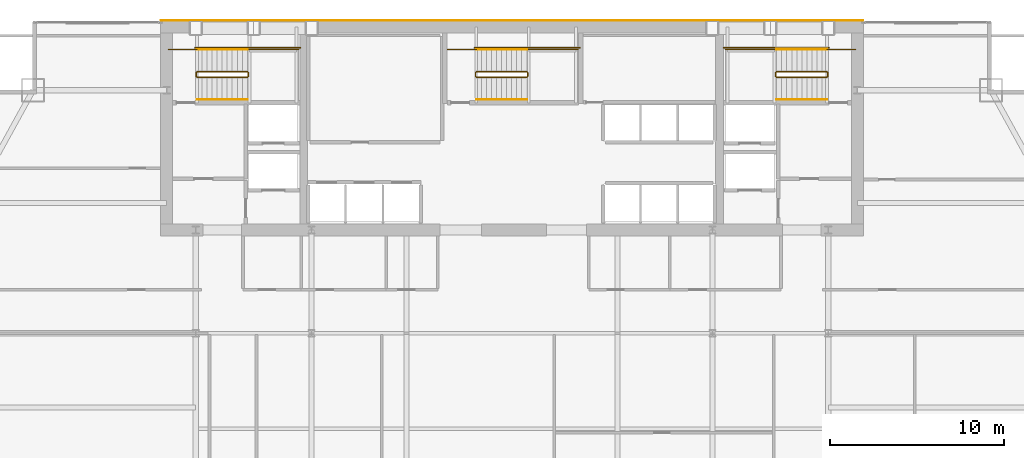
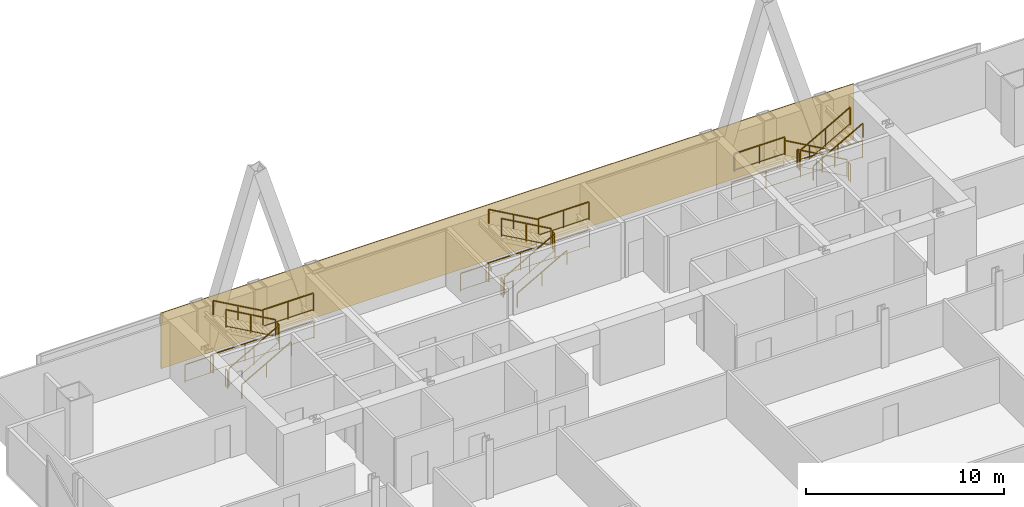
# One storey, part 30 of 30: 27 railings, 1 covering.
"""IFC4 building model written with IfcOpenShell, lengths in metres."""

from ifc_helpers import new_model, si_unit, direction, frame, origin, origin_2d, place, context, subcontext, project, spatial, polyline, rectangle, outline, extrude, material, layer, layer_set, type_object, element, save


model = new_model("IFC4")

# Units and contexts
model_context = context("Model", 3, precision=1e-05, world=origin(), true_north=direction((0.0, 1.0)))
body_context = subcontext(model_context, "Body", "Model", "MODEL_VIEW")
ifc_project = project(units=[si_unit("LENGTHUNIT", "METRE"), si_unit("AREAUNIT", "SQUARE_METRE"), si_unit("VOLUMEUNIT", "CUBIC_METRE"), si_unit("PLANEANGLEUNIT", "RADIAN"), si_unit("MASSUNIT", "GRAM", prefix="KILO")], contexts=[model_context])

# Site, building, storey
site_placement = place(None, origin())
site = spatial("IfcSite", under=ifc_project, at=site_placement, CompositionType="ELEMENT")
building_placement = place(site_placement, origin())
building = spatial("IfcBuilding", under=site, at=building_placement, Name="Khoronbel Lancet Exchange", CompositionType="ELEMENT")
storey_placement = place(building_placement, frame((0.0, 0.0, 157.800048828125)))
storey = spatial("IfcBuildingStorey", under=building, at=storey_placement, Name="L39", CompositionType="ELEMENT", Elevation=157.800048828125)

# Covering
ifc_material_1 = material(Name="Honed Egyptian Limestone & Bronze Rainscreen", Category="masonry")
ifc_layer = layer(ifc_material_1, 0.050048828125, Name="Honed Egyptian Limestone & Bronze Rainscreen")
ifc_layer_set = layer_set([ifc_layer], Name="Honed Egyptian Limestone & Bronze Rainscreen")
covering_type = type_object("IfcCoveringType", Name="COV-CLAD1", PredefinedType="CLADDING", material=ifc_layer_set)
covering_placement = place(storey_placement, origin())
element("IfcCovering", 1, at=covering_placement, inside=storey, type_object=covering_type, Name="Level L39 north rear-core stone and bronze rainscreen cladding", PredefinedType="CLADDING", context=body_context, shape_type="SweptSolid", body=[
    extrude(outline(polyline([(16.199951171875, 53.699951171875), (56.699951171875, 53.699951171875), (56.699951171875, 53.75), (16.199951171875, 53.75), (16.199951171875, 53.699951171875)])), origin(), (0.0, 0.0, 1.0), 3.43994140625),
])

# Railings
ifc_material_2 = material(Name="Painted Steel Balustrade", Category="steel")
railing_type_1 = type_object("IfcRailingType", Name="RL-STG110", PredefinedType="GUARDRAIL", material=ifc_material_2)
railing_1_placement = place(storey_placement, frame((18.300048828125, 50.449951171875, 0.16357421875)))
element("IfcRailing", 2, at=railing_1_placement, inside=storey, type_object=railing_type_1, Name="L39 ST1 stair guard 1", PredefinedType="GUARDRAIL", context=body_context, shape_type="SweptSolid", body=[
    extrude(rectangle(XDim=0.048095703125, YDim=0.048095703125, at=origin_2d()), frame((0.0, 0.0, 1.09619140625), z_axis=(0.870897200241, 0.0, 0.491465224214), x_axis=(0.0, 1.0, 0.0)), (0.0, 0.0, 1.0), 3.329833984375),
    extrude(rectangle(XDim=0.02392578125, YDim=0.02392578125, at=origin_2d()), frame((0.0, 0.0, 0.080078125), z_axis=(0.870897200241, 0.0, 0.491465224214), x_axis=(0.0, 1.0, 0.0)), (0.0, 0.0, 1.0), 3.329833984375),
    extrude(rectangle(XDim=0.0419921875, YDim=0.0419921875, at=origin_2d()), origin(), (0.0, 0.0, 1.0), 1.072021484375),
    extrude(rectangle(XDim=0.0419921875, YDim=0.0419921875, at=origin_2d()), frame((1.449951171875, 0.0, 0.818359375)), (0.0, 0.0, 1.0), 1.072021484375),
    extrude(rectangle(XDim=0.0419921875, YDim=0.0419921875, at=origin_2d()), frame((2.89990234375, 0.0, 1.636474609375)), (0.0, 0.0, 1.0), 1.072021484375),
])
railing_2_placement = place(storey_placement, frame((21.25, 50.5, 1.800048828125)))
element("IfcRailing", 3, at=railing_2_placement, inside=storey, type_object=railing_type_1, Name="L39 ST1 stair guard 2", PredefinedType="GUARDRAIL", context=body_context, shape_type="SweptSolid", body=[
    extrude(rectangle(XDim=0.048095703125, YDim=0.048095703125, at=origin_2d()), frame((0.0, 0.0, 1.09619140625), z_axis=(0.0, 1.0, 0.0), x_axis=(-1.0, 0.0, 0.0)), (0.0, 0.0, 1.0), 0.219970703125),
    extrude(rectangle(XDim=0.02392578125, YDim=0.02392578125, at=origin_2d()), frame((0.0, 0.0, 0.080078125), z_axis=(0.0, 1.0, 0.0), x_axis=(-1.0, 0.0, 0.0)), (0.0, 0.0, 1.0), 0.219970703125),
    extrude(rectangle(XDim=0.0419921875, YDim=0.0419921875, at=origin_2d()), origin(), (0.0, 0.0, 1.0), 1.072021484375),
    extrude(rectangle(XDim=0.0419921875, YDim=0.0419921875, at=origin_2d()), frame((0.0, 0.219970703125, 0.0)), (0.0, 0.0, 1.0), 1.072021484375),
])
railing_3_placement = place(storey_placement, frame((21.199951171875, 52.050048828125, 1.800048828125)))
element("IfcRailing", 4, at=railing_3_placement, inside=storey, type_object=railing_type_1, Name="L39 ST1 stair guard 3", PredefinedType="GUARDRAIL", context=body_context, shape_type="SweptSolid", body=[
    extrude(rectangle(XDim=0.048095703125, YDim=0.048095703125, at=origin_2d()), frame((0.0, 0.0, 1.09619140625), z_axis=(1.0, 0.0, 0.0), x_axis=(0.0, 1.0, 0.0)), (0.0, 0.0, 1.0), 2.949951171875),
    extrude(rectangle(XDim=0.02392578125, YDim=0.02392578125, at=origin_2d()), frame((0.0, 0.0, 0.080078125), z_axis=(1.0, 0.0, 0.0), x_axis=(0.0, 1.0, 0.0)), (0.0, 0.0, 1.0), 2.949951171875),
    extrude(rectangle(XDim=0.0419921875, YDim=0.0419921875, at=origin_2d()), origin(), (0.0, 0.0, 1.0), 1.072021484375),
    extrude(rectangle(XDim=0.0419921875, YDim=0.0419921875, at=origin_2d()), frame((1.47509765625, 0.0, 0.0)), (0.0, 0.0, 1.0), 1.072021484375),
    extrude(rectangle(XDim=0.0419921875, YDim=0.0419921875, at=origin_2d()), frame((2.949951171875, 0.0, 0.0)), (0.0, 0.0, 1.0), 1.072021484375),
])
railing_4_placement = place(storey_placement, frame((21.199951171875, 50.77001953125, 1.963623046875)))
element("IfcRailing", 5, at=railing_4_placement, inside=storey, type_object=railing_type_1, Name="L39 ST1 stair guard 4", PredefinedType="GUARDRAIL", context=body_context, shape_type="SweptSolid", body=[
    extrude(rectangle(XDim=0.048095703125, YDim=0.048095703125, at=origin_2d()), frame((0.0, 0.0, 1.09619140625), z_axis=(-0.870928581787, 0.0, 0.491409610636), x_axis=(0.0, -1.0, 0.0)), (0.0, 0.0, 1.0), 3.32958984375),
    extrude(rectangle(XDim=0.02392578125, YDim=0.02392578125, at=origin_2d()), frame((0.0, 0.0, 0.080078125), z_axis=(-0.870928581787, 0.0, 0.491409610636), x_axis=(0.0, -1.0, 0.0)), (0.0, 0.0, 1.0), 3.32958984375),
    extrude(rectangle(XDim=0.0419921875, YDim=0.0419921875, at=origin_2d()), origin(), (0.0, 0.0, 1.0), 1.072021484375),
    extrude(rectangle(XDim=0.0419921875, YDim=0.0419921875, at=origin_2d()), frame((-1.449951171875, 0.0, 0.818115234375)), (0.0, 0.0, 1.0), 1.072021484375),
    extrude(rectangle(XDim=0.0419921875, YDim=0.0419921875, at=origin_2d()), frame((-2.89990234375, 0.0, 1.63623046875)), (0.0, 0.0, 1.0), 1.072021484375),
])
railing_5_placement = place(storey_placement, frame((18.25, 50.5, 0.0)))
element("IfcRailing", 6, at=railing_5_placement, inside=storey, type_object=railing_type_1, Name="L39 ST1 stair guard 5", PredefinedType="GUARDRAIL", context=body_context, shape_type="SweptSolid", body=[
    extrude(rectangle(XDim=0.048095703125, YDim=0.048095703125, at=origin_2d()), frame((0.0, 0.0, 1.09619140625), z_axis=(0.0, 1.0, 0.0), x_axis=(-1.0, 0.0, 0.0)), (0.0, 0.0, 1.0), 0.219970703125),
    extrude(rectangle(XDim=0.02392578125, YDim=0.02392578125, at=origin_2d()), frame((0.0, 0.0, 0.080078125), z_axis=(0.0, 1.0, 0.0), x_axis=(-1.0, 0.0, 0.0)), (0.0, 0.0, 1.0), 0.219970703125),
    extrude(rectangle(XDim=0.0419921875, YDim=0.0419921875, at=origin_2d()), origin(), (0.0, 0.0, 1.0), 1.072021484375),
    extrude(rectangle(XDim=0.0419921875, YDim=0.0419921875, at=origin_2d()), frame((0.0, 0.219970703125, 0.0)), (0.0, 0.0, 1.0), 1.072021484375),
])
railing_6_placement = place(storey_placement, frame((16.64990234375, 52.050048828125, 0.0)))
element("IfcRailing", 7, at=railing_6_placement, inside=storey, type_object=railing_type_1, Name="L39 ST1 stair guard 6", PredefinedType="GUARDRAIL", context=body_context, shape_type="SweptSolid", body=[
    extrude(rectangle(XDim=0.048095703125, YDim=0.048095703125, at=origin_2d()), frame((0.0, 0.0, 1.09619140625), z_axis=(1.0, 0.0, 0.0), x_axis=(0.0, 1.0, 0.0)), (0.0, 0.0, 1.0), 1.650146484375),
    extrude(rectangle(XDim=0.02392578125, YDim=0.02392578125, at=origin_2d()), frame((0.0, 0.0, 0.080078125), z_axis=(1.0, 0.0, 0.0), x_axis=(0.0, 1.0, 0.0)), (0.0, 0.0, 1.0), 1.650146484375),
    extrude(rectangle(XDim=0.0419921875, YDim=0.0419921875, at=origin_2d()), origin(), (0.0, 0.0, 1.0), 1.072021484375),
    extrude(rectangle(XDim=0.0419921875, YDim=0.0419921875, at=origin_2d()), frame((1.650146484375, 0.0, 0.0)), (0.0, 0.0, 1.0), 1.072021484375),
])
railing_7_placement = place(storey_placement, frame((18.199951171875, 52.14990234375, 0.0)))
element("IfcRailing", 8, at=railing_7_placement, inside=storey, type_object=railing_type_1, Name="L39 ST1 stair guard 7", PredefinedType="GUARDRAIL", context=body_context, shape_type="SweptSolid", body=[
    extrude(rectangle(XDim=0.048095703125, YDim=0.048095703125, at=origin_2d()), frame((0.0, 0.0, 1.09619140625), z_axis=(1.0, 0.0, 0.0), x_axis=(0.0, 1.0, 0.0)), (0.0, 0.0, 1.0), 6.050048828125),
    extrude(rectangle(XDim=0.02392578125, YDim=0.02392578125, at=origin_2d()), frame((0.0, 0.0, 0.080078125), z_axis=(1.0, 0.0, 0.0), x_axis=(0.0, 1.0, 0.0)), (0.0, 0.0, 1.0), 6.050048828125),
    extrude(rectangle(XDim=0.0419921875, YDim=0.0419921875, at=origin_2d()), origin(), (0.0, 0.0, 1.0), 1.072021484375),
    extrude(rectangle(XDim=0.0419921875, YDim=0.0419921875, at=origin_2d()), frame((2.0166015625, 0.0, 0.0)), (0.0, 0.0, 1.0), 1.072021484375),
    extrude(rectangle(XDim=0.0419921875, YDim=0.0419921875, at=origin_2d()), frame((4.033447265625, 0.0, 0.0)), (0.0, 0.0, 1.0), 1.072021484375),
    extrude(rectangle(XDim=0.0419921875, YDim=0.0419921875, at=origin_2d()), frame((6.050048828125, 0.0, 0.0)), (0.0, 0.0, 1.0), 1.072021484375),
])
railing_8_placement = place(storey_placement, frame((54.60009765625, 50.77001953125, 0.16357421875)))
element("IfcRailing", 9, at=railing_8_placement, inside=storey, type_object=railing_type_1, Name="L39 ST2 stair guard 1", PredefinedType="GUARDRAIL", context=body_context, shape_type="SweptSolid", body=[
    extrude(rectangle(XDim=0.048095703125, YDim=0.048095703125, at=origin_2d()), frame((0.0, 0.0, 1.09619140625), z_axis=(-0.870914908162, 0.0, 0.491433843708), x_axis=(0.0, -1.0, 0.0)), (0.0, 0.0, 1.0), 3.330078125),
    extrude(rectangle(XDim=0.02392578125, YDim=0.02392578125, at=origin_2d()), frame((0.0, 0.0, 0.080078125), z_axis=(-0.870914908162, 0.0, 0.491433843708), x_axis=(0.0, -1.0, 0.0)), (0.0, 0.0, 1.0), 3.330078125),
    extrude(rectangle(XDim=0.0419921875, YDim=0.0419921875, at=origin_2d()), origin(), (0.0, 0.0, 1.0), 1.072021484375),
    extrude(rectangle(XDim=0.0419921875, YDim=0.0419921875, at=origin_2d()), frame((-1.4501953125, 0.0, 0.818359375)), (0.0, 0.0, 1.0), 1.072021484375),
    extrude(rectangle(XDim=0.0419921875, YDim=0.0419921875, at=origin_2d()), frame((-2.900146484375, 0.0, 1.636474609375)), (0.0, 0.0, 1.0), 1.072021484375),
])
railing_9_placement = place(storey_placement, frame((51.64990234375, 50.719970703125, 1.800048828125)))
element("IfcRailing", 10, at=railing_9_placement, inside=storey, type_object=railing_type_1, Name="L39 ST2 stair guard 2", PredefinedType="GUARDRAIL", context=body_context, shape_type="SweptSolid", body=[
    extrude(rectangle(XDim=0.048095703125, YDim=0.048095703125, at=origin_2d()), frame((0.0, 0.0, 1.09619140625), z_axis=(0.0, -1.0, 0.0), x_axis=(1.0, 0.0, 0.0)), (0.0, 0.0, 1.0), 0.219970703125),
    extrude(rectangle(XDim=0.02392578125, YDim=0.02392578125, at=origin_2d()), frame((0.0, 0.0, 0.080078125), z_axis=(0.0, -1.0, 0.0), x_axis=(1.0, 0.0, 0.0)), (0.0, 0.0, 1.0), 0.219970703125),
    extrude(rectangle(XDim=0.0419921875, YDim=0.0419921875, at=origin_2d()), origin(), (0.0, 0.0, 1.0), 1.072021484375),
    extrude(rectangle(XDim=0.0419921875, YDim=0.0419921875, at=origin_2d()), frame((0.0, -0.219970703125, 0.0)), (0.0, 0.0, 1.0), 1.072021484375),
])
railing_10_placement = place(storey_placement, frame((51.699951171875, 52.050048828125, 1.800048828125)))
element("IfcRailing", 11, at=railing_10_placement, inside=storey, type_object=railing_type_1, Name="L39 ST2 stair guard 3", PredefinedType="GUARDRAIL", context=body_context, shape_type="SweptSolid", body=[
    extrude(rectangle(XDim=0.048095703125, YDim=0.048095703125, at=origin_2d()), frame((0.0, 0.0, 1.09619140625), z_axis=(-1.0, 0.0, 0.0), x_axis=(0.0, -1.0, 0.0)), (0.0, 0.0, 1.0), 2.949951171875),
    extrude(rectangle(XDim=0.02392578125, YDim=0.02392578125, at=origin_2d()), frame((0.0, 0.0, 0.080078125), z_axis=(-1.0, 0.0, 0.0), x_axis=(0.0, -1.0, 0.0)), (0.0, 0.0, 1.0), 2.949951171875),
    extrude(rectangle(XDim=0.0419921875, YDim=0.0419921875, at=origin_2d()), origin(), (0.0, 0.0, 1.0), 1.072021484375),
    extrude(rectangle(XDim=0.0419921875, YDim=0.0419921875, at=origin_2d()), frame((-1.47509765625, 0.0, 0.0)), (0.0, 0.0, 1.0), 1.072021484375),
    extrude(rectangle(XDim=0.0419921875, YDim=0.0419921875, at=origin_2d()), frame((-2.949951171875, 0.0, 0.0)), (0.0, 0.0, 1.0), 1.072021484375),
])
railing_11_placement = place(storey_placement, frame((51.699951171875, 50.449951171875, 1.963623046875)))
element("IfcRailing", 12, at=railing_11_placement, inside=storey, type_object=railing_type_1, Name="L39 ST2 stair guard 4", PredefinedType="GUARDRAIL", context=body_context, shape_type="SweptSolid", body=[
    extrude(rectangle(XDim=0.048095703125, YDim=0.048095703125, at=origin_2d()), frame((0.0, 0.0, 1.09619140625), z_axis=(0.870946286338, 0.0, 0.49137823142), x_axis=(0.0, 1.0, 0.0)), (0.0, 0.0, 1.0), 3.329833984375),
    extrude(rectangle(XDim=0.02392578125, YDim=0.02392578125, at=origin_2d()), frame((0.0, 0.0, 0.080078125), z_axis=(0.870946286338, 0.0, 0.49137823142), x_axis=(0.0, 1.0, 0.0)), (0.0, 0.0, 1.0), 3.329833984375),
    extrude(rectangle(XDim=0.0419921875, YDim=0.0419921875, at=origin_2d()), origin(), (0.0, 0.0, 1.0), 1.072021484375),
    extrude(rectangle(XDim=0.0419921875, YDim=0.0419921875, at=origin_2d()), frame((1.4501953125, 0.0, 0.818115234375)), (0.0, 0.0, 1.0), 1.072021484375),
    extrude(rectangle(XDim=0.0419921875, YDim=0.0419921875, at=origin_2d()), frame((2.900146484375, 0.0, 1.63623046875)), (0.0, 0.0, 1.0), 1.072021484375),
])
railing_12_placement = place(storey_placement, frame((54.64990234375, 50.719970703125, 0.0)))
element("IfcRailing", 13, at=railing_12_placement, inside=storey, type_object=railing_type_1, Name="L39 ST2 stair guard 5", PredefinedType="GUARDRAIL", context=body_context, shape_type="SweptSolid", body=[
    extrude(rectangle(XDim=0.048095703125, YDim=0.048095703125, at=origin_2d()), frame((0.0, 0.0, 1.09619140625), z_axis=(0.0, -1.0, 0.0), x_axis=(1.0, 0.0, 0.0)), (0.0, 0.0, 1.0), 0.219970703125),
    extrude(rectangle(XDim=0.02392578125, YDim=0.02392578125, at=origin_2d()), frame((0.0, 0.0, 0.080078125), z_axis=(0.0, -1.0, 0.0), x_axis=(1.0, 0.0, 0.0)), (0.0, 0.0, 1.0), 0.219970703125),
    extrude(rectangle(XDim=0.0419921875, YDim=0.0419921875, at=origin_2d()), origin(), (0.0, 0.0, 1.0), 1.072021484375),
    extrude(rectangle(XDim=0.0419921875, YDim=0.0419921875, at=origin_2d()), frame((0.0, -0.219970703125, 0.0)), (0.0, 0.0, 1.0), 1.072021484375),
])
railing_13_placement = place(storey_placement, frame((56.25, 52.050048828125, 0.0)))
element("IfcRailing", 14, at=railing_13_placement, inside=storey, type_object=railing_type_1, Name="L39 ST2 stair guard 6", PredefinedType="GUARDRAIL", context=body_context, shape_type="SweptSolid", body=[
    extrude(rectangle(XDim=0.048095703125, YDim=0.048095703125, at=origin_2d()), frame((0.0, 0.0, 1.09619140625), z_axis=(-1.0, 0.0, 0.0), x_axis=(0.0, -1.0, 0.0)), (0.0, 0.0, 1.0), 1.64990234375),
    extrude(rectangle(XDim=0.02392578125, YDim=0.02392578125, at=origin_2d()), frame((0.0, 0.0, 0.080078125), z_axis=(-1.0, 0.0, 0.0), x_axis=(0.0, -1.0, 0.0)), (0.0, 0.0, 1.0), 1.64990234375),
    extrude(rectangle(XDim=0.0419921875, YDim=0.0419921875, at=origin_2d()), origin(), (0.0, 0.0, 1.0), 1.072021484375),
    extrude(rectangle(XDim=0.0419921875, YDim=0.0419921875, at=origin_2d()), frame((-1.64990234375, 0.0, 0.0)), (0.0, 0.0, 1.0), 1.072021484375),
])
railing_14_placement = place(storey_placement, frame((54.699951171875, 52.14990234375, 0.0)))
element("IfcRailing", 15, at=railing_14_placement, inside=storey, type_object=railing_type_1, Name="L39 ST2 stair guard 7", PredefinedType="GUARDRAIL", context=body_context, shape_type="SweptSolid", body=[
    extrude(rectangle(XDim=0.048095703125, YDim=0.048095703125, at=origin_2d()), frame((0.0, 0.0, 1.09619140625), z_axis=(-1.0, 0.0, 0.0), x_axis=(0.0, -1.0, 0.0)), (0.0, 0.0, 1.0), 6.050048828125),
    extrude(rectangle(XDim=0.02392578125, YDim=0.02392578125, at=origin_2d()), frame((0.0, 0.0, 0.080078125), z_axis=(-1.0, 0.0, 0.0), x_axis=(0.0, -1.0, 0.0)), (0.0, 0.0, 1.0), 6.050048828125),
    extrude(rectangle(XDim=0.0419921875, YDim=0.0419921875, at=origin_2d()), origin(), (0.0, 0.0, 1.0), 1.072021484375),
    extrude(rectangle(XDim=0.0419921875, YDim=0.0419921875, at=origin_2d()), frame((-2.0166015625, 0.0, 0.0)), (0.0, 0.0, 1.0), 1.072021484375),
    extrude(rectangle(XDim=0.0419921875, YDim=0.0419921875, at=origin_2d()), frame((-4.033447265625, 0.0, 0.0)), (0.0, 0.0, 1.0), 1.072021484375),
    extrude(rectangle(XDim=0.0419921875, YDim=0.0419921875, at=origin_2d()), frame((-6.050048828125, 0.0, 0.0)), (0.0, 0.0, 1.0), 1.072021484375),
])
railing_15_placement = place(storey_placement, frame((34.39990234375, 50.449951171875, 0.16357421875)))
element("IfcRailing", 16, at=railing_15_placement, inside=storey, type_object=railing_type_1, Name="L39 ST3 stair guard 1", PredefinedType="GUARDRAIL", context=body_context, shape_type="SweptSolid", body=[
    extrude(rectangle(XDim=0.048095703125, YDim=0.048095703125, at=origin_2d()), frame((0.0, 0.0, 1.09619140625), z_axis=(0.870914908162, 0.0, 0.491433843708), x_axis=(0.0, 1.0, 0.0)), (0.0, 0.0, 1.0), 3.330078125),
    extrude(rectangle(XDim=0.02392578125, YDim=0.02392578125, at=origin_2d()), frame((0.0, 0.0, 0.080078125), z_axis=(0.870914908162, 0.0, 0.491433843708), x_axis=(0.0, 1.0, 0.0)), (0.0, 0.0, 1.0), 3.330078125),
    extrude(rectangle(XDim=0.0419921875, YDim=0.0419921875, at=origin_2d()), origin(), (0.0, 0.0, 1.0), 1.072021484375),
    extrude(rectangle(XDim=0.0419921875, YDim=0.0419921875, at=origin_2d()), frame((1.4501953125, 0.0, 0.818359375)), (0.0, 0.0, 1.0), 1.072021484375),
    extrude(rectangle(XDim=0.0419921875, YDim=0.0419921875, at=origin_2d()), frame((2.900146484375, 0.0, 1.636474609375)), (0.0, 0.0, 1.0), 1.072021484375),
])
railing_16_placement = place(storey_placement, frame((37.35009765625, 50.5, 1.800048828125)))
element("IfcRailing", 17, at=railing_16_placement, inside=storey, type_object=railing_type_1, Name="L39 ST3 stair guard 2", PredefinedType="GUARDRAIL", context=body_context, shape_type="SweptSolid", body=[
    extrude(rectangle(XDim=0.048095703125, YDim=0.048095703125, at=origin_2d()), frame((0.0, 0.0, 1.09619140625), z_axis=(0.0, 1.0, 0.0), x_axis=(-1.0, 0.0, 0.0)), (0.0, 0.0, 1.0), 0.219970703125),
    extrude(rectangle(XDim=0.02392578125, YDim=0.02392578125, at=origin_2d()), frame((0.0, 0.0, 0.080078125), z_axis=(0.0, 1.0, 0.0), x_axis=(-1.0, 0.0, 0.0)), (0.0, 0.0, 1.0), 0.219970703125),
    extrude(rectangle(XDim=0.0419921875, YDim=0.0419921875, at=origin_2d()), origin(), (0.0, 0.0, 1.0), 1.072021484375),
    extrude(rectangle(XDim=0.0419921875, YDim=0.0419921875, at=origin_2d()), frame((0.0, 0.219970703125, 0.0)), (0.0, 0.0, 1.0), 1.072021484375),
])
railing_17_placement = place(storey_placement, frame((37.300048828125, 52.050048828125, 1.800048828125)))
element("IfcRailing", 18, at=railing_17_placement, inside=storey, type_object=railing_type_1, Name="L39 ST3 stair guard 3", PredefinedType="GUARDRAIL", context=body_context, shape_type="SweptSolid", body=[
    extrude(rectangle(XDim=0.048095703125, YDim=0.048095703125, at=origin_2d()), frame((0.0, 0.0, 1.09619140625), z_axis=(1.0, 0.0, 0.0), x_axis=(0.0, 1.0, 0.0)), (0.0, 0.0, 1.0), 2.949951171875),
    extrude(rectangle(XDim=0.02392578125, YDim=0.02392578125, at=origin_2d()), frame((0.0, 0.0, 0.080078125), z_axis=(1.0, 0.0, 0.0), x_axis=(0.0, 1.0, 0.0)), (0.0, 0.0, 1.0), 2.949951171875),
    extrude(rectangle(XDim=0.0419921875, YDim=0.0419921875, at=origin_2d()), origin(), (0.0, 0.0, 1.0), 1.072021484375),
    extrude(rectangle(XDim=0.0419921875, YDim=0.0419921875, at=origin_2d()), frame((1.47509765625, 0.0, 0.0)), (0.0, 0.0, 1.0), 1.072021484375),
    extrude(rectangle(XDim=0.0419921875, YDim=0.0419921875, at=origin_2d()), frame((2.949951171875, 0.0, 0.0)), (0.0, 0.0, 1.0), 1.072021484375),
])
railing_18_placement = place(storey_placement, frame((37.300048828125, 50.77001953125, 1.963623046875)))
element("IfcRailing", 19, at=railing_18_placement, inside=storey, type_object=railing_type_1, Name="L39 ST3 stair guard 4", PredefinedType="GUARDRAIL", context=body_context, shape_type="SweptSolid", body=[
    extrude(rectangle(XDim=0.048095703125, YDim=0.048095703125, at=origin_2d()), frame((0.0, 0.0, 1.09619140625), z_axis=(-0.870946286338, 0.0, 0.49137823142), x_axis=(0.0, -1.0, 0.0)), (0.0, 0.0, 1.0), 3.329833984375),
    extrude(rectangle(XDim=0.02392578125, YDim=0.02392578125, at=origin_2d()), frame((0.0, 0.0, 0.080078125), z_axis=(-0.870946286338, 0.0, 0.49137823142), x_axis=(0.0, -1.0, 0.0)), (0.0, 0.0, 1.0), 3.329833984375),
    extrude(rectangle(XDim=0.0419921875, YDim=0.0419921875, at=origin_2d()), origin(), (0.0, 0.0, 1.0), 1.072021484375),
    extrude(rectangle(XDim=0.0419921875, YDim=0.0419921875, at=origin_2d()), frame((-1.4501953125, 0.0, 0.818115234375)), (0.0, 0.0, 1.0), 1.072021484375),
    extrude(rectangle(XDim=0.0419921875, YDim=0.0419921875, at=origin_2d()), frame((-2.900146484375, 0.0, 1.63623046875)), (0.0, 0.0, 1.0), 1.072021484375),
])
railing_19_placement = place(storey_placement, frame((34.35009765625, 50.5, 0.0)))
element("IfcRailing", 20, at=railing_19_placement, inside=storey, type_object=railing_type_1, Name="L39 ST3 stair guard 5", PredefinedType="GUARDRAIL", context=body_context, shape_type="SweptSolid", body=[
    extrude(rectangle(XDim=0.048095703125, YDim=0.048095703125, at=origin_2d()), frame((0.0, 0.0, 1.09619140625), z_axis=(0.0, 1.0, 0.0), x_axis=(-1.0, 0.0, 0.0)), (0.0, 0.0, 1.0), 0.219970703125),
    extrude(rectangle(XDim=0.02392578125, YDim=0.02392578125, at=origin_2d()), frame((0.0, 0.0, 0.080078125), z_axis=(0.0, 1.0, 0.0), x_axis=(-1.0, 0.0, 0.0)), (0.0, 0.0, 1.0), 0.219970703125),
    extrude(rectangle(XDim=0.0419921875, YDim=0.0419921875, at=origin_2d()), origin(), (0.0, 0.0, 1.0), 1.072021484375),
    extrude(rectangle(XDim=0.0419921875, YDim=0.0419921875, at=origin_2d()), frame((0.0, 0.219970703125, 0.0)), (0.0, 0.0, 1.0), 1.072021484375),
])
railing_20_placement = place(storey_placement, frame((32.75, 52.050048828125, 0.0)))
element("IfcRailing", 21, at=railing_20_placement, inside=storey, type_object=railing_type_1, Name="L39 ST3 stair guard 6", PredefinedType="GUARDRAIL", context=body_context, shape_type="SweptSolid", body=[
    extrude(rectangle(XDim=0.048095703125, YDim=0.048095703125, at=origin_2d()), frame((0.0, 0.0, 1.09619140625), z_axis=(1.0, 0.0, 0.0), x_axis=(0.0, 1.0, 0.0)), (0.0, 0.0, 1.0), 1.64990234375),
    extrude(rectangle(XDim=0.02392578125, YDim=0.02392578125, at=origin_2d()), frame((0.0, 0.0, 0.080078125), z_axis=(1.0, 0.0, 0.0), x_axis=(0.0, 1.0, 0.0)), (0.0, 0.0, 1.0), 1.64990234375),
    extrude(rectangle(XDim=0.0419921875, YDim=0.0419921875, at=origin_2d()), origin(), (0.0, 0.0, 1.0), 1.072021484375),
    extrude(rectangle(XDim=0.0419921875, YDim=0.0419921875, at=origin_2d()), frame((1.64990234375, 0.0, 0.0)), (0.0, 0.0, 1.0), 1.072021484375),
])
railing_21_placement = place(storey_placement, frame((34.300048828125, 52.14990234375, 0.0)))
element("IfcRailing", 22, at=railing_21_placement, inside=storey, type_object=railing_type_1, Name="L39 ST3 stair guard 7", PredefinedType="GUARDRAIL", context=body_context, shape_type="SweptSolid", body=[
    extrude(rectangle(XDim=0.048095703125, YDim=0.048095703125, at=origin_2d()), frame((0.0, 0.0, 1.09619140625), z_axis=(1.0, 0.0, 0.0), x_axis=(0.0, 1.0, 0.0)), (0.0, 0.0, 1.0), 6.050048828125),
    extrude(rectangle(XDim=0.02392578125, YDim=0.02392578125, at=origin_2d()), frame((0.0, 0.0, 0.080078125), z_axis=(1.0, 0.0, 0.0), x_axis=(0.0, 1.0, 0.0)), (0.0, 0.0, 1.0), 6.050048828125),
    extrude(rectangle(XDim=0.0419921875, YDim=0.0419921875, at=origin_2d()), origin(), (0.0, 0.0, 1.0), 1.072021484375),
    extrude(rectangle(XDim=0.0419921875, YDim=0.0419921875, at=origin_2d()), frame((2.0166015625, 0.0, 0.0)), (0.0, 0.0, 1.0), 1.072021484375),
    extrude(rectangle(XDim=0.0419921875, YDim=0.0419921875, at=origin_2d()), frame((4.033447265625, 0.0, 0.0)), (0.0, 0.0, 1.0), 1.072021484375),
    extrude(rectangle(XDim=0.0419921875, YDim=0.0419921875, at=origin_2d()), frame((6.050048828125, 0.0, 0.0)), (0.0, 0.0, 1.0), 1.072021484375),
])
ifc_material_3 = material(Name="Brushed Stainless Steel 316", Category="steel")
railing_type_2 = type_object("IfcRailingType", Name="RL-STH92", PredefinedType="HANDRAIL", material=ifc_material_3)
railing_22_placement = place(storey_placement, frame((18.300048828125, 49.169921875, 0.16357421875)))
element("IfcRailing", 23, at=railing_22_placement, inside=storey, type_object=railing_type_2, Name="L39 ST1 stair handrail 1", PredefinedType="HANDRAIL", context=body_context, shape_type="SweptSolid", body=[
    extrude(rectangle(XDim=0.048095703125, YDim=0.048095703125, at=origin_2d()), frame((0.0, 0.0, 0.8759765625), z_axis=(0.870897200241, 0.0, 0.491465224214), x_axis=(0.0, 1.0, 0.0)), (0.0, 0.0, 1.0), 3.329833984375),
    extrude(rectangle(XDim=0.0419921875, YDim=0.0419921875, at=origin_2d()), origin(), (0.0, 0.0, 1.0), 0.851806640625),
    extrude(rectangle(XDim=0.0419921875, YDim=0.0419921875, at=origin_2d()), frame((1.449951171875, 0.0, 0.818359375)), (0.0, 0.0, 1.0), 0.851806640625),
    extrude(rectangle(XDim=0.0419921875, YDim=0.0419921875, at=origin_2d()), frame((2.89990234375, 0.0, 1.636474609375)), (0.0, 0.0, 1.0), 0.851806640625),
])
railing_23_placement = place(storey_placement, frame((21.199951171875, 52.050048828125, 1.963623046875)))
element("IfcRailing", 24, at=railing_23_placement, inside=storey, type_object=railing_type_2, Name="L39 ST1 stair handrail 2", PredefinedType="HANDRAIL", context=body_context, shape_type="SweptSolid", body=[
    extrude(rectangle(XDim=0.048095703125, YDim=0.048095703125, at=origin_2d()), frame((0.0, 0.0, 0.8759765625), z_axis=(-0.870928581787, 0.0, 0.491409610636), x_axis=(0.0, -1.0, 0.0)), (0.0, 0.0, 1.0), 3.32958984375),
    extrude(rectangle(XDim=0.0419921875, YDim=0.0419921875, at=origin_2d()), origin(), (0.0, 0.0, 1.0), 0.851806640625),
    extrude(rectangle(XDim=0.0419921875, YDim=0.0419921875, at=origin_2d()), frame((-1.449951171875, 0.0, 0.818115234375)), (0.0, 0.0, 1.0), 0.851806640625),
    extrude(rectangle(XDim=0.0419921875, YDim=0.0419921875, at=origin_2d()), frame((-2.89990234375, 0.0, 1.63623046875)), (0.0, 0.0, 1.0), 0.851806640625),
])
railing_24_placement = place(storey_placement, frame((54.60009765625, 52.050048828125, 0.16357421875)))
element("IfcRailing", 25, at=railing_24_placement, inside=storey, type_object=railing_type_2, Name="L39 ST2 stair handrail 1", PredefinedType="HANDRAIL", context=body_context, shape_type="SweptSolid", body=[
    extrude(rectangle(XDim=0.048095703125, YDim=0.048095703125, at=origin_2d()), frame((0.0, 0.0, 0.8759765625), z_axis=(-0.870914908162, 0.0, 0.491433843708), x_axis=(0.0, -1.0, 0.0)), (0.0, 0.0, 1.0), 3.330078125),
    extrude(rectangle(XDim=0.0419921875, YDim=0.0419921875, at=origin_2d()), origin(), (0.0, 0.0, 1.0), 0.851806640625),
    extrude(rectangle(XDim=0.0419921875, YDim=0.0419921875, at=origin_2d()), frame((-1.4501953125, 0.0, 0.818359375)), (0.0, 0.0, 1.0), 0.851806640625),
    extrude(rectangle(XDim=0.0419921875, YDim=0.0419921875, at=origin_2d()), frame((-2.900146484375, 0.0, 1.636474609375)), (0.0, 0.0, 1.0), 0.851806640625),
])
railing_25_placement = place(storey_placement, frame((51.699951171875, 49.169921875, 1.963623046875)))
element("IfcRailing", 26, at=railing_25_placement, inside=storey, type_object=railing_type_2, Name="L39 ST2 stair handrail 2", PredefinedType="HANDRAIL", context=body_context, shape_type="SweptSolid", body=[
    extrude(rectangle(XDim=0.048095703125, YDim=0.048095703125, at=origin_2d()), frame((0.0, 0.0, 0.8759765625), z_axis=(0.870946286338, 0.0, 0.49137823142), x_axis=(0.0, 1.0, 0.0)), (0.0, 0.0, 1.0), 3.329833984375),
    extrude(rectangle(XDim=0.0419921875, YDim=0.0419921875, at=origin_2d()), origin(), (0.0, 0.0, 1.0), 0.851806640625),
    extrude(rectangle(XDim=0.0419921875, YDim=0.0419921875, at=origin_2d()), frame((1.4501953125, 0.0, 0.818115234375)), (0.0, 0.0, 1.0), 0.851806640625),
    extrude(rectangle(XDim=0.0419921875, YDim=0.0419921875, at=origin_2d()), frame((2.900146484375, 0.0, 1.63623046875)), (0.0, 0.0, 1.0), 0.851806640625),
])
railing_26_placement = place(storey_placement, frame((34.39990234375, 49.169921875, 0.16357421875)))
element("IfcRailing", 27, at=railing_26_placement, inside=storey, type_object=railing_type_2, Name="L39 ST3 stair handrail 1", PredefinedType="HANDRAIL", context=body_context, shape_type="SweptSolid", body=[
    extrude(rectangle(XDim=0.048095703125, YDim=0.048095703125, at=origin_2d()), frame((0.0, 0.0, 0.8759765625), z_axis=(0.870914908162, 0.0, 0.491433843708), x_axis=(0.0, 1.0, 0.0)), (0.0, 0.0, 1.0), 3.330078125),
    extrude(rectangle(XDim=0.0419921875, YDim=0.0419921875, at=origin_2d()), origin(), (0.0, 0.0, 1.0), 0.851806640625),
    extrude(rectangle(XDim=0.0419921875, YDim=0.0419921875, at=origin_2d()), frame((1.4501953125, 0.0, 0.818359375)), (0.0, 0.0, 1.0), 0.851806640625),
    extrude(rectangle(XDim=0.0419921875, YDim=0.0419921875, at=origin_2d()), frame((2.900146484375, 0.0, 1.636474609375)), (0.0, 0.0, 1.0), 0.851806640625),
])
railing_27_placement = place(storey_placement, frame((37.300048828125, 52.050048828125, 1.963623046875)))
element("IfcRailing", 28, at=railing_27_placement, inside=storey, type_object=railing_type_2, Name="L39 ST3 stair handrail 2", PredefinedType="HANDRAIL", context=body_context, shape_type="SweptSolid", body=[
    extrude(rectangle(XDim=0.048095703125, YDim=0.048095703125, at=origin_2d()), frame((0.0, 0.0, 0.8759765625), z_axis=(-0.870946286338, 0.0, 0.49137823142), x_axis=(0.0, -1.0, 0.0)), (0.0, 0.0, 1.0), 3.329833984375),
    extrude(rectangle(XDim=0.0419921875, YDim=0.0419921875, at=origin_2d()), origin(), (0.0, 0.0, 1.0), 0.851806640625),
    extrude(rectangle(XDim=0.0419921875, YDim=0.0419921875, at=origin_2d()), frame((-1.4501953125, 0.0, 0.818115234375)), (0.0, 0.0, 1.0), 0.851806640625),
    extrude(rectangle(XDim=0.0419921875, YDim=0.0419921875, at=origin_2d()), frame((-2.900146484375, 0.0, 1.63623046875)), (0.0, 0.0, 1.0), 0.851806640625),
])

save(model, "model.ifc")
